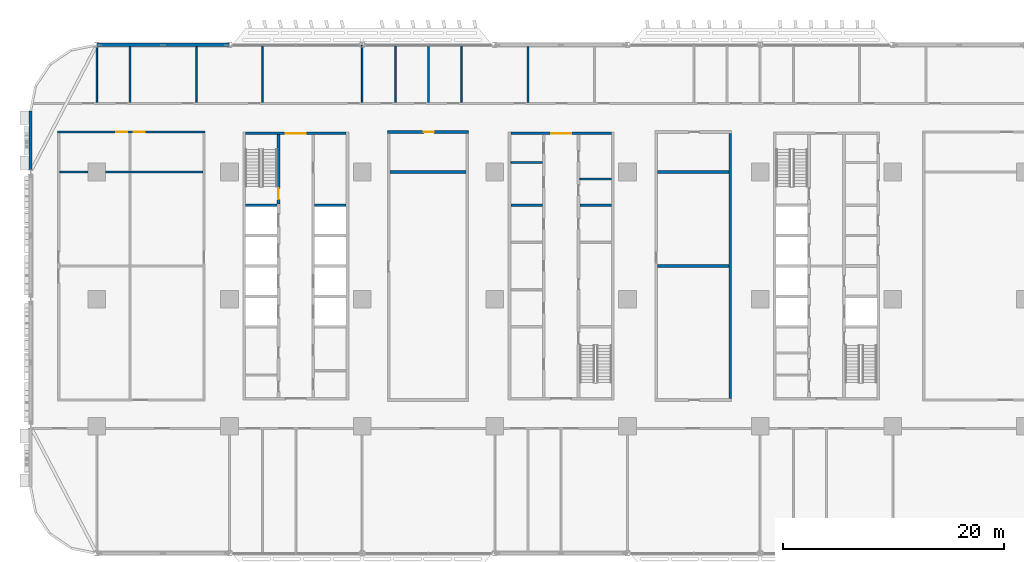
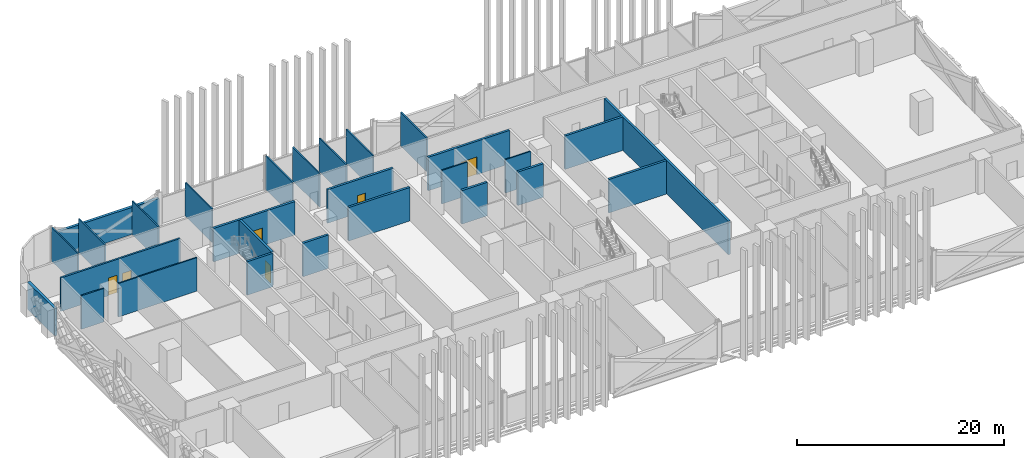
# One storey, part 12 of 29: 28 walls, 6 doors, 6 openings.
"""IFC4 building model written with IfcOpenShell, lengths in metres."""

from ifc_helpers import new_model, si_unit, direction, frame, frame_2d, origin, place, context, subcontext, project, spatial, rectangle, extrude, material, layer, layer_set, type_object, element, fill, save


model = new_model("IFC4")

# Units and contexts
model_context = context("Model", 3, precision=1e-05, world=origin(), true_north=direction((0.0, 1.0)))
body_context = subcontext(model_context, "Body", "Model", "MODEL_VIEW")
ifc_project = project(units=[si_unit("LENGTHUNIT", "METRE"), si_unit("AREAUNIT", "SQUARE_METRE"), si_unit("VOLUMEUNIT", "CUBIC_METRE"), si_unit("PLANEANGLEUNIT", "RADIAN"), si_unit("MASSUNIT", "GRAM", prefix="KILO")], contexts=[model_context])

# Site, building, storey
site_placement = place(None, origin())
site = spatial("IfcSite", under=ifc_project, at=site_placement, CompositionType="ELEMENT")
building_placement = place(site_placement, origin())
building = spatial("IfcBuilding", under=site, at=building_placement, Name="Mahtab Terrace Research Tower", CompositionType="ELEMENT")
storey_placement = place(building_placement, frame((0.0, 0.0, 24.39990234375)))
storey = spatial("IfcBuildingStorey", under=building, at=storey_placement, Name="L05", CompositionType="ELEMENT", Elevation=24.39990234375)

# Walls
ifc_material_1 = material(Name="Gypsum board partition")
ifc_layer_1 = layer(ifc_material_1, 0.14990234375)
ifc_layer_set_1 = layer_set([ifc_layer_1], Name="Core partition 150")
wall_type_1 = type_object("IfcWallType", Name="Core partition 150", PredefinedType="PARTITIONING", material=ifc_layer_set_1)
for number, where, z_axis, x_axis, name in (
    (1, (-4.550048828125, 12.35498046875, 0.0), (0.0, 0.0, 1.0), (1.0, 0.0, 0.0), "Core wall B pWN936"),
    (2, (1.699951171875, 10.875, 0.0), (0.0, 0.0, 1.0), (1.0, 0.0, 0.0), "Core wall B pEN788"),
):
    element("IfcWall", number, at=place(storey_placement, frame(where, z_axis=z_axis, x_axis=x_axis)), inside=storey, type_object=wall_type_1, Name=name, PredefinedType="PARTITIONING", context=body_context, shape_type="SweptSolid", body=[
        extrude(rectangle(XDim=2.85009765625, YDim=0.14990234375, at=frame_2d((1.425048828125, 0.0))), origin(), (0.0, 0.0, 1.0), 3.960205078125),
    ])

# Wall, opening, door
ifc_material_2 = material(Name="Concrete C70/85", Category="concrete")
ifc_layer_2 = layer(ifc_material_2, 0.25)
ifc_layer_set_2 = layer_set([ifc_layer_2], Name="Core wall 250")
wall_type_2 = type_object("IfcWallType", Name="Core wall 250", PredefinedType="SOLIDWALL", material=ifc_layer_set_2)
wall_1_placement = place(storey_placement, frame((-28.550048828125, 15.0, 0.0), z_axis=(0.0, 0.0, 1.0), x_axis=(1.0, 0.0, 0.0)))
wall_1 = element("IfcWall", 3, at=wall_1_placement, inside=storey, type_object=wall_type_2, Name="Core wall A endN", PredefinedType="SOLIDWALL", context=body_context, shape_type="SweptSolid", body=[
    extrude(rectangle(XDim=9.10009765625, YDim=0.25, at=frame_2d((4.550048828125, 0.0))), origin(), (0.0, 0.0, 1.0), 3.960205078125),
])
opening_1_placement = place(wall_1_placement, frame((3.64990234375, 0.0, 0.0)))
opening_1 = element("IfcOpeningElement", 4, at=opening_1_placement, cuts=wall_1, Name="Opening A-N1", PredefinedType="OPENING", context=body_context, shape_type="SweptSolid", body=[
    extrude(rectangle(XDim=1.800048828125, YDim=2.10009765625, at=frame_2d((0.89990234375, 1.050048828125))), frame((0.0, 0.135009765625, 0.0), z_axis=(0.0, -1.0, 0.0), x_axis=(1.0, 0.0, 0.0)), (0.0, 0.0, 1.0), 0.27001953125),
])
ifc_material_3 = material(Name="Steel fire door", Category="steel")
door_type_1 = type_object("IfcDoorType", Name="Lobby double door 1800x2100 1 HR", OperationType="DOUBLE_DOOR_SINGLE_SWING", PredefinedType="DOOR", material=ifc_material_3)
door_1_placement = place(opening_1_placement, origin())
door_1 = element("IfcDoor", 5, at=door_1_placement, inside=storey, type_object=door_type_1, Name="Core entrance door A N", OperationType="DOUBLE_DOOR_SINGLE_SWING", OverallHeight=2.10009765625, OverallWidth=1.800048828125, PredefinedType="DOOR", context=body_context, shape_type="SweptSolid", body=[
    extrude(rectangle(XDim=1.800048828125, YDim=2.10009765625, at=frame_2d((0.89990234375, 1.050048828125))), frame((0.0, 0.02490234375, 0.0), z_axis=(0.0, -1.0, 0.0), x_axis=(1.0, 0.0, 0.0)), (0.0, 0.0, 1.0), 0.050048828125),
])
fill(opening_1, door_1)

wall_2_placement = place(storey_placement, frame((-25.574951171875, 14.875, 0.0), z_axis=(0.0, 0.0, 1.0), x_axis=(0.0, -1.0, 0.0)))
wall_2 = element("IfcWall", 6, at=wall_2_placement, inside=storey, type_object=wall_type_2, Name="Core wall A innerWN", PredefinedType="SOLIDWALL", context=body_context, shape_type="SweptSolid", body=[
    extrude(rectangle(XDim=6.25, YDim=0.25, at=frame_2d((3.125, 0.0))), origin(), (0.0, 0.0, 1.0), 3.960205078125),
])
opening_2_placement = place(wall_2_placement, frame((4.85009765625, 0.0, 0.0)))
opening_2 = element("IfcOpeningElement", 7, at=opening_2_placement, cuts=wall_2, Name="Opening A-ST1", PredefinedType="OPENING", context=body_context, shape_type="SweptSolid", body=[
    extrude(rectangle(XDim=1.0, YDim=2.10009765625, at=frame_2d((0.5, 1.050048828125))), frame((0.0, 0.135009765625, 0.0), z_axis=(0.0, -1.0, 0.0), x_axis=(1.0, 0.0, 0.0)), (0.0, 0.0, 1.0), 0.27001953125),
])
door_type_2 = type_object("IfcDoorType", Name="Stair door 1000x2100 1.5 HR", OperationType="NOTDEFINED", PredefinedType="DOOR", material=ifc_material_3)
door_2_placement = place(opening_2_placement, origin())
door_2 = element("IfcDoor", 8, at=door_2_placement, inside=storey, type_object=door_type_2, Name="Stair door ST1 L05", OperationType="SINGLE_SWING_RIGHT", OverallHeight=2.10009765625, OverallWidth=1.0, PredefinedType="DOOR", context=body_context, shape_type="SweptSolid", body=[
    extrude(rectangle(XDim=1.0, YDim=2.10009765625, at=frame_2d((0.5, 1.050048828125))), frame((0.0, 0.02490234375, 0.0), z_axis=(0.0, -1.0, 0.0), x_axis=(1.0, 0.0, 0.0)), (0.0, 0.0, 1.0), 0.050048828125),
])
fill(opening_2, door_2)

# Walls
for number, where, z_axis, x_axis, name in (
    (9, (-28.550048828125, 8.5, 0.0), (0.0, 0.0, 1.0), (1.0, 0.0, 0.0), "Core wall A divW4"),
    (10, (-22.300048828125, 8.5, 0.0), (0.0, 0.0, 1.0), (1.0, 0.0, 0.0), "Core wall A divE4"),
):
    element("IfcWall", number, at=place(storey_placement, frame(where, z_axis=z_axis, x_axis=x_axis)), inside=storey, type_object=wall_type_2, Name=name, PredefinedType="SOLIDWALL", context=body_context, shape_type="SweptSolid", body=[
        extrude(rectangle(XDim=2.85009765625, YDim=0.25, at=frame_2d((1.425048828125, 0.0))), origin(), (0.0, 0.0, 1.0), 3.960205078125),
    ])

# Wall, opening, door
wall_3_placement = place(storey_placement, frame((-4.550048828125, 15.0, 0.0), z_axis=(0.0, 0.0, 1.0), x_axis=(1.0, 0.0, 0.0)))
wall_3 = element("IfcWall", 11, at=wall_3_placement, inside=storey, type_object=wall_type_2, Name="Core wall B endN", PredefinedType="SOLIDWALL", context=body_context, shape_type="SweptSolid", body=[
    extrude(rectangle(XDim=9.10009765625, YDim=0.25, at=frame_2d((4.550048828125, 0.0))), origin(), (0.0, 0.0, 1.0), 3.960205078125),
])
opening_3_placement = place(wall_3_placement, frame((3.64990234375, 0.0, 0.0)))
opening_3 = element("IfcOpeningElement", 12, at=opening_3_placement, cuts=wall_3, Name="Opening B-N1", PredefinedType="OPENING", context=body_context, shape_type="SweptSolid", body=[
    extrude(rectangle(XDim=1.800048828125, YDim=2.10009765625, at=frame_2d((0.89990234375, 1.050048828125))), frame((0.0, 0.135009765625, 0.0), z_axis=(0.0, -1.0, 0.0), x_axis=(1.0, 0.0, 0.0)), (0.0, 0.0, 1.0), 0.27001953125),
])
door_3_placement = place(opening_3_placement, origin())
door_3 = element("IfcDoor", 13, at=door_3_placement, inside=storey, type_object=door_type_1, Name="Core entrance door B N", OperationType="DOUBLE_DOOR_SINGLE_SWING", OverallHeight=2.10009765625, OverallWidth=1.800048828125, PredefinedType="DOOR", context=body_context, shape_type="SweptSolid", body=[
    extrude(rectangle(XDim=1.800048828125, YDim=2.10009765625, at=frame_2d((0.89990234375, 1.050048828125))), frame((0.0, 0.02490234375, 0.0), z_axis=(0.0, -1.0, 0.0), x_axis=(1.0, 0.0, 0.0)), (0.0, 0.0, 1.0), 0.050048828125),
])
fill(opening_3, door_3)

# Walls
for number, where, z_axis, x_axis, name in (
    (14, (-4.550048828125, 8.5, 0.0), (0.0, 0.0, 1.0), (1.0, 0.0, 0.0), "Core wall B divW4"),
    (15, (1.699951171875, 8.5, 0.0), (0.0, 0.0, 1.0), (1.0, 0.0, 0.0), "Core wall B divE4"),
):
    element("IfcWall", number, at=place(storey_placement, frame(where, z_axis=z_axis, x_axis=x_axis)), inside=storey, type_object=wall_type_2, Name=name, PredefinedType="SOLIDWALL", context=body_context, shape_type="SweptSolid", body=[
        extrude(rectangle(XDim=2.85009765625, YDim=0.25, at=frame_2d((1.425048828125, 0.0))), origin(), (0.0, 0.0, 1.0), 3.960205078125),
    ])
ifc_material_4 = material(Name="Black aluminium cladding panel", Category="aluminium")
ifc_layer_3 = layer(ifc_material_4, 0.300048828125)
ifc_layer_set_3 = layer_set([ifc_layer_3], Name="Opaque facade wall 300")
wall_type_3 = type_object("IfcWallType", Name="Opaque facade wall 300", PredefinedType="NOTDEFINED", material=ifc_layer_set_3)
wall_4_placement = place(storey_placement, frame((-30.02783203125, 23.0, 0.0), z_axis=(0.0, 0.0, 1.0), x_axis=(-1.0, 0.0, 0.0)))
element("IfcWall", 16, at=wall_4_placement, inside=storey, type_object=wall_type_3, Name="Opaque facade wall L05 N9", PredefinedType="NOTDEFINED", context=body_context, shape_type="SweptSolid", body=[
    extrude(rectangle(XDim=11.9443359375, YDim=0.300048828125, at=frame_2d((5.97216796875, 0.0))), origin(), (0.0, 0.0, 1.0), 3.203125),
])
wall_5_placement = place(storey_placement, frame((-48.0, 17.0, 0.0), z_axis=(0.0, 0.0, 1.0), x_axis=(0.0, -1.0, 0.0)))
element("IfcWall", 17, at=wall_5_placement, inside=storey, type_object=wall_type_3, Name="Opaque facade wall L05 W14", PredefinedType="NOTDEFINED", context=body_context, shape_type="SweptSolid", body=[
    extrude(rectangle(XDim=5.2509765625, YDim=0.300048828125, at=frame_2d((2.62548828125, 0.0))), origin(), (0.0, 0.0, 1.0), 3.203125),
])
ifc_material_5 = material(Name="Masonry control area wall", Category="masonry")
ifc_layer_4 = layer(ifc_material_5, 0.25)
ifc_layer_set_4 = layer_set([ifc_layer_4], Name="WALL CONTROL AREA 250")
wall_type_4 = type_object("IfcWallType", Name="WALL CONTROL AREA 250", PredefinedType="PARTITIONING", material=ifc_layer_set_4)
wall_6_placement = place(storey_placement, frame((8.72509765625, 3.0, 0.0), z_axis=(0.0, 0.0, 1.0), x_axis=(1.0, 0.0, 0.0)))
element("IfcWall", 18, at=wall_6_placement, inside=storey, type_object=wall_type_4, Name="L05-W015", PredefinedType="PARTITIONING", context=body_context, shape_type="SweptSolid", body=[
    extrude(rectangle(XDim=6.449951171875, YDim=0.25, at=frame_2d((3.22509765625, 0.0))), origin(), (0.0, 0.0, 1.0), 3.960205078125),
])
wall_7_placement = place(storey_placement, frame((-15.47509765625, 11.5, 0.0), z_axis=(0.0, 0.0, 1.0), x_axis=(1.0, 0.0, 0.0)))
element("IfcWall", 19, at=wall_7_placement, inside=storey, type_object=wall_type_4, Name="L05-W018", PredefinedType="PARTITIONING", context=body_context, shape_type="SweptSolid", body=[
    extrude(rectangle(XDim=6.85009765625, YDim=0.25, at=frame_2d((3.425048828125, 0.0))), origin(), (0.0, 0.0, 1.0), 3.960205078125),
])
wall_8_placement = place(storey_placement, frame((8.72509765625, 11.5, 0.0), z_axis=(0.0, 0.0, 1.0), x_axis=(1.0, 0.0, 0.0)))
element("IfcWall", 20, at=wall_8_placement, inside=storey, type_object=wall_type_4, Name="L05-W019", PredefinedType="PARTITIONING", context=body_context, shape_type="SweptSolid", body=[
    extrude(rectangle(XDim=6.449951171875, YDim=0.25, at=frame_2d((3.22509765625, 0.0))), origin(), (0.0, 0.0, 1.0), 3.960205078125),
])

# Wall, opening, door
wall_9_placement = place(storey_placement, frame((-15.72509765625, 15.125, 0.0), z_axis=(0.0, 0.0, 1.0), x_axis=(1.0, 0.0, 0.0)))
wall_9 = element("IfcWall", 21, at=wall_9_placement, inside=storey, type_object=wall_type_4, Name="L05-W023", PredefinedType="PARTITIONING", context=body_context, shape_type="SweptSolid", body=[
    extrude(rectangle(XDim=7.35009765625, YDim=0.25, at=frame_2d((3.675048828125, 0.0))), origin(), (0.0, 0.0, 1.0), 3.960205078125),
])
opening_4_placement = place(wall_9_placement, frame((3.300048828125, 0.0, 0.0)))
opening_4 = element("IfcOpeningElement", 22, at=opening_4_placement, cuts=wall_9, Name="Opening L05-126", PredefinedType="OPENING", context=body_context, shape_type="SweptSolid", body=[
    extrude(rectangle(XDim=0.89990234375, YDim=2.10009765625, at=frame_2d((0.449951171875, 1.050048828125))), frame((0.0, 0.135009765625, 0.0), z_axis=(0.0, -1.0, 0.0), x_axis=(1.0, 0.0, 0.0)), (0.0, 0.0, 1.0), 0.27001953125),
])
ifc_material_6 = material(Name="Timber door leaf in steel frame", Category="steel")
door_type_3 = type_object("IfcDoorType", Name="DOOR 0900X2100 FD120", OperationType="SINGLE_SWING_LEFT", PredefinedType="DOOR", material=ifc_material_6)
door_4_placement = place(opening_4_placement, origin())
door_4 = element("IfcDoor", 23, at=door_4_placement, inside=storey, type_object=door_type_3, Name="Door L05-126", OperationType="SINGLE_SWING_LEFT", OverallHeight=2.10009765625, OverallWidth=0.89990234375, PredefinedType="DOOR", context=body_context, shape_type="SweptSolid", body=[
    extrude(rectangle(XDim=0.89990234375, YDim=2.10009765625, at=frame_2d((0.449951171875, 1.050048828125))), frame((0.0, 0.02490234375, 0.0), z_axis=(0.0, -1.0, 0.0), x_axis=(1.0, 0.0, 0.0)), (0.0, 0.0, 1.0), 0.050048828125),
])
fill(opening_4, door_4)

# Wall
wall_10_placement = place(storey_placement, frame((15.300048828125, -9.0, 0.0), z_axis=(0.0, 0.0, 1.0), x_axis=(0.0, 1.0, 0.0)))
element("IfcWall", 24, at=wall_10_placement, inside=storey, type_object=wall_type_4, Name="L05-W054", PredefinedType="PARTITIONING", context=body_context, shape_type="SweptSolid", body=[
    extrude(rectangle(XDim=24.0, YDim=0.25, at=frame_2d((12.0, 0.0))), origin(), (0.0, 0.0, 1.0), 3.960205078125),
])

# Wall, openings, doors
ifc_material_7 = material(Name="Gypsum board corridor wall on steel studs", Category="steel")
ifc_layer_5 = layer(ifc_material_7, 0.199951171875)
ifc_layer_set_5 = layer_set([ifc_layer_5], Name="WALL CORRIDOR 200")
wall_type_5 = type_object("IfcWallType", Name="WALL CORRIDOR 200", PredefinedType="PARTITIONING", material=ifc_layer_set_5)
wall_11_placement = place(storey_placement, frame((-45.550048828125, 15.125, 0.0), z_axis=(0.0, 0.0, 1.0), x_axis=(1.0, 0.0, 0.0)))
wall_11 = element("IfcWall", 25, at=wall_11_placement, inside=storey, type_object=wall_type_5, Name="L05-W022", PredefinedType="PARTITIONING", context=body_context, shape_type="SweptSolid", body=[
    extrude(rectangle(XDim=13.35009765625, YDim=0.199951171875, at=frame_2d((6.675048828125, 0.0))), origin(), (0.0, 0.0, 1.0), 3.960205078125),
])
opening_5_placement = place(wall_11_placement, frame((5.300048828125, 0.0, 0.0)))
opening_5 = element("IfcOpeningElement", 26, at=opening_5_placement, cuts=wall_11, Name="Opening L05-124", PredefinedType="OPENING", context=body_context, shape_type="SweptSolid", body=[
    extrude(rectangle(XDim=1.0, YDim=2.10009765625, at=frame_2d((0.5, 1.050048828125))), frame((0.0, 0.10986328125, 0.0), z_axis=(0.0, -1.0, 0.0), x_axis=(1.0, 0.0, 0.0)), (0.0, 0.0, 1.0), 0.219970703125),
])
opening_6_placement = place(wall_11_placement, frame((6.89990234375, 0.0, 0.0)))
opening_6 = element("IfcOpeningElement", 27, at=opening_6_placement, cuts=wall_11, Name="Opening L05-125", PredefinedType="OPENING", context=body_context, shape_type="SweptSolid", body=[
    extrude(rectangle(XDim=1.0, YDim=2.10009765625, at=frame_2d((0.5, 1.050048828125))), frame((0.0, 0.10986328125, 0.0), z_axis=(0.0, -1.0, 0.0), x_axis=(1.0, 0.0, 0.0)), (0.0, 0.0, 1.0), 0.219970703125),
])
door_type_4 = type_object("IfcDoorType", Name="DOOR 1000X2100 FD30S", OperationType="SINGLE_SWING_LEFT", PredefinedType="DOOR", material=ifc_material_6)
door_5_placement = place(opening_5_placement, origin())
door_5 = element("IfcDoor", 28, at=door_5_placement, inside=storey, type_object=door_type_4, Name="Door L05-124", OperationType="SINGLE_SWING_RIGHT", OverallHeight=2.10009765625, OverallWidth=1.0, PredefinedType="DOOR", context=body_context, shape_type="SweptSolid", body=[
    extrude(rectangle(XDim=1.0, YDim=2.10009765625, at=frame_2d((0.5, 1.050048828125))), frame((0.0, 0.02490234375, 0.0), z_axis=(0.0, -1.0, 0.0), x_axis=(1.0, 0.0, 0.0)), (0.0, 0.0, 1.0), 0.050048828125),
])
fill(opening_5, door_5)
door_6_placement = place(opening_6_placement, origin())
door_6 = element("IfcDoor", 29, at=door_6_placement, inside=storey, type_object=door_type_4, Name="Door L05-125", OperationType="SINGLE_SWING_LEFT", OverallHeight=2.10009765625, OverallWidth=1.0, PredefinedType="DOOR", context=body_context, shape_type="SweptSolid", body=[
    extrude(rectangle(XDim=1.0, YDim=2.10009765625, at=frame_2d((0.5, 1.050048828125))), frame((0.0, 0.02490234375, 0.0), z_axis=(0.0, -1.0, 0.0), x_axis=(1.0, 0.0, 0.0)), (0.0, 0.0, 1.0), 0.050048828125),
])
fill(opening_6, door_6)

# Walls
ifc_material_8 = material(Name="Gypsum board partition on steel studs", Category="steel")
ifc_layer_6 = layer(ifc_material_8, 0.14990234375)
ifc_layer_set_6 = layer_set([ifc_layer_6], Name="WALL PARTITION 150")
wall_type_6 = type_object("IfcWallType", Name="WALL PARTITION 150", PredefinedType="PARTITIONING", material=ifc_layer_set_6)
wall_12_placement = place(storey_placement, frame((-45.35009765625, 11.5, 0.0), z_axis=(0.0, 0.0, 1.0), x_axis=(1.0, 0.0, 0.0)))
element("IfcWall", 30, at=wall_12_placement, inside=storey, type_object=wall_type_6, Name="L05-W016", PredefinedType="PARTITIONING", context=body_context, shape_type="SweptSolid", body=[
    extrude(rectangle(XDim=2.550048828125, YDim=0.14990234375, at=frame_2d((1.27490234375, 0.0))), origin(), (0.0, 0.0, 1.0), 3.960205078125),
])
wall_13_placement = place(storey_placement, frame((-41.199951171875, 11.5, 0.0), z_axis=(0.0, 0.0, 1.0), x_axis=(1.0, 0.0, 0.0)))
element("IfcWall", 31, at=wall_13_placement, inside=storey, type_object=wall_type_6, Name="L05-W017", PredefinedType="PARTITIONING", context=body_context, shape_type="SweptSolid", body=[
    extrude(rectangle(XDim=8.800048828125, YDim=0.14990234375, at=frame_2d((4.39990234375, 0.0))), origin(), (0.0, 0.0, 1.0), 3.960205078125),
])
wall_14_placement = place(storey_placement, frame((-42.0, 17.800048828125, 0.0), z_axis=(0.0, 0.0, 1.0), x_axis=(0.0, 1.0, 0.0)))
element("IfcWall", 32, at=wall_14_placement, inside=storey, type_object=wall_type_6, Name="L05-W029", PredefinedType="PARTITIONING", context=body_context, shape_type="SweptSolid", body=[
    extrude(rectangle(XDim=5.047119140625, YDim=0.14990234375, at=frame_2d((2.5234375, 0.0))), origin(), (0.0, 0.0, 1.0), 3.960205078125),
])
for number, where, z_axis, x_axis, name in (
    (33, (-39.0, 17.800048828125, 0.0), (0.0, 0.0, 1.0), (0.0, 1.0, 0.0), "L05-W031"),
    (34, (-33.0, 17.800048828125, 0.0), (0.0, 0.0, 1.0), (0.0, 1.0, 0.0), "L05-W032"),
):
    element("IfcWall", number, at=place(storey_placement, frame(where, z_axis=z_axis, x_axis=x_axis)), inside=storey, type_object=wall_type_6, Name=name, PredefinedType="PARTITIONING", context=body_context, shape_type="SweptSolid", body=[
        extrude(rectangle(XDim=5.050048828125, YDim=0.14990234375, at=frame_2d((2.52490234375, 0.0))), origin(), (0.0, 0.0, 1.0), 3.960205078125),
    ])
for number, where, z_axis, x_axis, name in (
    (35, (-27.0, 17.800048828125, 0.0), (0.0, 0.0, 1.0), (0.0, 1.0, 0.0), "L05-W036"),
    (36, (-18.0, 17.800048828125, 0.0), (0.0, 0.0, 1.0), (0.0, 1.0, 0.0), "L05-W039"),
    (37, (-15.0, 17.800048828125, 0.0), (0.0, 0.0, 1.0), (0.0, 1.0, 0.0), "L05-W041"),
    (38, (-12.0, 17.800048828125, 0.0), (0.0, 0.0, 1.0), (0.0, 1.0, 0.0), "L05-W042"),
    (39, (-9.0, 17.800048828125, 0.0), (0.0, 0.0, 1.0), (0.0, 1.0, 0.0), "L05-W043"),
):
    element("IfcWall", number, at=place(storey_placement, frame(where, z_axis=z_axis, x_axis=x_axis)), inside=storey, type_object=wall_type_6, Name=name, PredefinedType="PARTITIONING", context=body_context, shape_type="SweptSolid", body=[
        extrude(rectangle(XDim=5.175048828125, YDim=0.14990234375, at=frame_2d((2.58740234375, 0.0))), origin(), (0.0, 0.0, 1.0), 3.960205078125),
    ])
wall_15_placement = place(storey_placement, frame((-3.0, 17.800048828125, 0.0), z_axis=(0.0, 0.0, 1.0), x_axis=(0.0, 1.0, 0.0)))
element("IfcWall", 40, at=wall_15_placement, inside=storey, type_object=wall_type_6, Name="L05-W047", PredefinedType="PARTITIONING", context=body_context, shape_type="SweptSolid", body=[
    extrude(rectangle(XDim=5.050048828125, YDim=0.14990234375, at=frame_2d((2.52490234375, 0.0))), origin(), (0.0, 0.0, 1.0), 3.960205078125),
])

save(model, "model.ifc")
